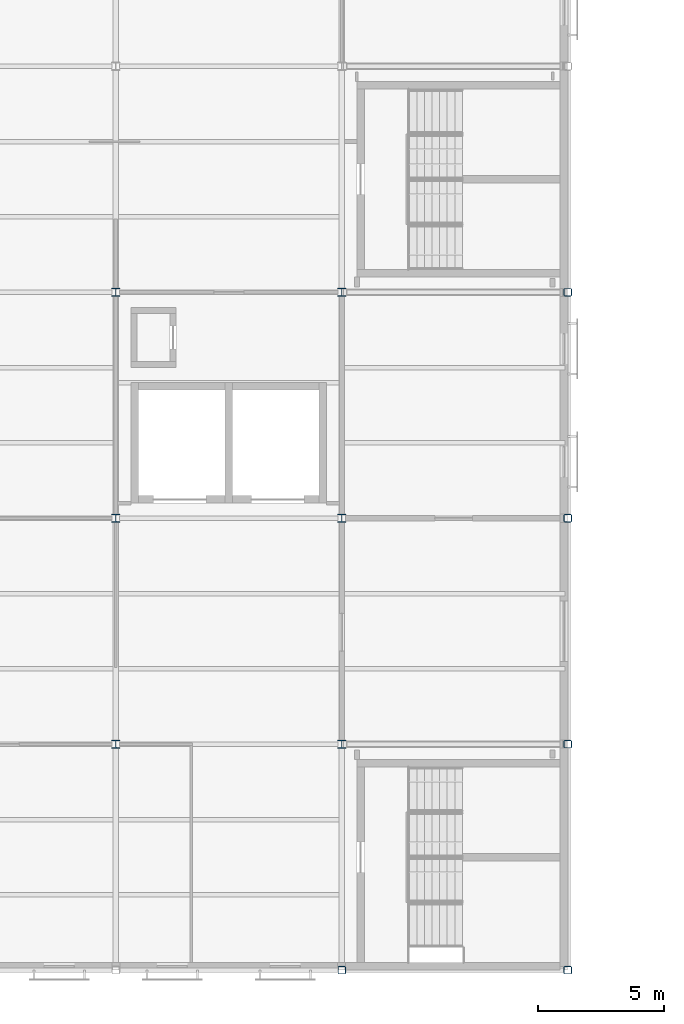
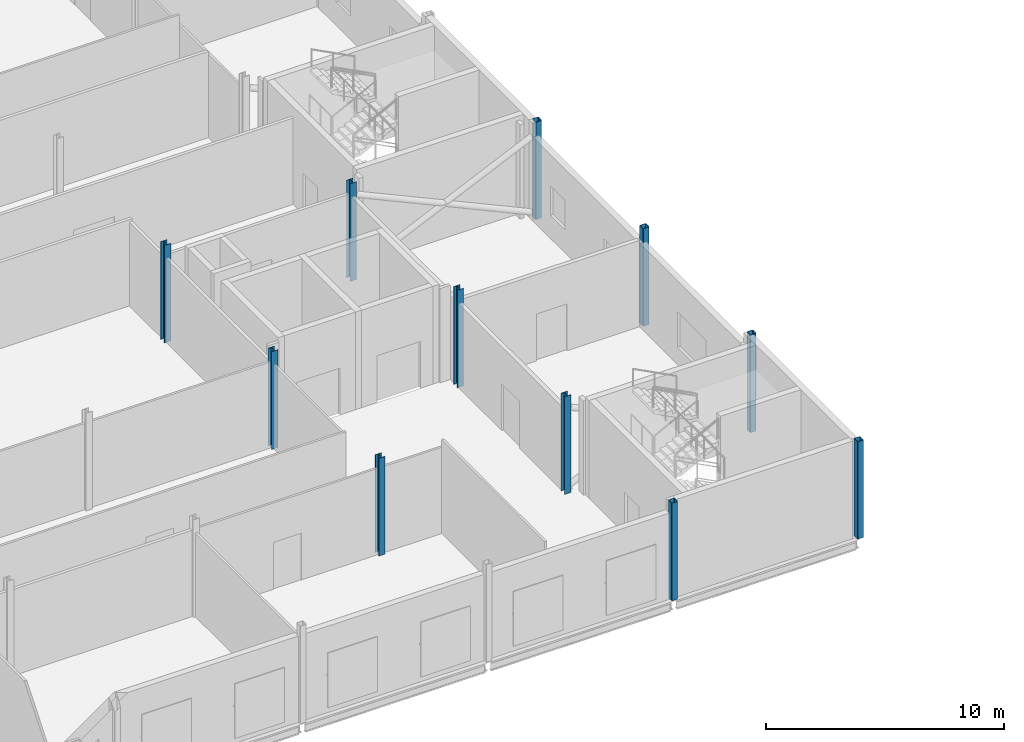
# One storey, part 5 of 112: 11 columns.
"""IFC4 building model written with IfcOpenShell, lengths in metres."""

from ifc_helpers import new_model, si_unit, direction, frame, origin, origin_2d, place, context, subcontext, project, spatial, hollow_rectangle, i_section, extrude, material, material_profile, profile_set, type_object, element, save


model = new_model("IFC4")

# Units and contexts
model_context = context("Model", 3, precision=1e-05, world=origin(), true_north=direction((0.0, 1.0)))
body_context = subcontext(model_context, "Body", "Model", "MODEL_VIEW")
ifc_project = project(units=[si_unit("LENGTHUNIT", "METRE"), si_unit("AREAUNIT", "SQUARE_METRE"), si_unit("VOLUMEUNIT", "CUBIC_METRE"), si_unit("PLANEANGLEUNIT", "RADIAN"), si_unit("MASSUNIT", "GRAM", prefix="KILO")], contexts=[model_context])

# Site, building, storey
site_placement = place(None, origin())
site = spatial("IfcSite", under=ifc_project, at=site_placement, CompositionType="ELEMENT")
building_placement = place(site_placement, origin())
building = spatial("IfcBuilding", under=site, at=building_placement, Name="Shorebreak Coast Museum", CompositionType="ELEMENT")
storey_placement = place(building_placement, frame((0.0, 0.0, 6.0)))
storey = spatial("IfcBuildingStorey", under=building, at=storey_placement, Name="L01", CompositionType="ELEMENT", Elevation=6.0)

# Columns
ifc_material_1 = material(Name="Steel Grade C450L0", Category="steel")
ifc_material_profile_1 = material_profile(ifc_material_1, hollow_rectangle(XDim=0.300048828125, YDim=0.300048828125, WallThickness=0.012451171875, InnerFilletRadius=0.018798828125, OuterFilletRadius=0.03125, at=origin_2d()), Name="300x300x12.5 SHS")
ifc_profile_set_1 = profile_set([ifc_material_profile_1], Name="Steel Grade C450L0")
column_type_1 = type_object("IfcColumnType", Name="Column 300x300x12.5 SHS", PredefinedType="COLUMN", material=ifc_profile_set_1)
for number, where, z_axis, x_axis, name in (
    (1, (108.0, 0.0, 0.0), (0.0, 0.0, 1.0), (1.0, 0.0, 0.0), "Column L01 13A"),
    (2, (117.0, 0.0, 0.0), (0.0, 0.0, 1.0), (1.0, 0.0, 0.0), "Column L01 14A"),
    (3, (117.0, 9.0, 0.0), (0.0, 0.0, 1.0), (1.0, 0.0, 0.0), "Column L01 14B"),
    (4, (117.0, 18.0, 0.0), (0.0, 0.0, 1.0), (1.0, 0.0, 0.0), "Column L01 14C"),
    (5, (117.0, 27.0, 0.0), (0.0, 0.0, 1.0), (1.0, 0.0, 0.0), "Column L01 14D"),
):
    element("IfcColumn", number, at=place(storey_placement, frame(where, z_axis=z_axis, x_axis=x_axis)), inside=storey, type_object=column_type_1, Name=name, PredefinedType="COLUMN", context=body_context, shape_type="SweptSolid", body=[
        extrude(hollow_rectangle(XDim=0.300048828125, YDim=0.300048828125, WallThickness=0.012451171875, InnerFilletRadius=0.018798828125, OuterFilletRadius=0.03125, at=origin_2d()), origin(), (0.0, 0.0, 1.0), 5.0),
    ])
ifc_material_2 = material(Name="Steel Grade 300", Category="steel")
ifc_material_profile_2 = material_profile(ifc_material_2, i_section(OverallWidth=0.30908203125, OverallDepth=0.320556640625, WebThickness=0.013916015625, FlangeThickness=0.021728515625, FilletRadius=0.0166015625, at=origin_2d()), Name="310UC137")
ifc_profile_set_2 = profile_set([ifc_material_profile_2], Name="Steel Grade 300")
column_type_2 = type_object("IfcColumnType", Name="Column 310UC137", PredefinedType="COLUMN", material=ifc_profile_set_2)
for number, where, z_axis, x_axis, name in (
    (6, (99.0, 9.0, 0.0), (0.0, 0.0, 1.0), (1.0, 0.0, 0.0), "Column L01 12B"),
    (7, (108.0, 9.0, 0.0), (0.0, 0.0, 1.0), (1.0, 0.0, 0.0), "Column L01 13B"),
    (8, (99.0, 18.0, 0.0), (0.0, 0.0, 1.0), (1.0, 0.0, 0.0), "Column L01 12C"),
    (9, (108.0, 18.0, 0.0), (0.0, 0.0, 1.0), (1.0, 0.0, 0.0), "Column L01 13C"),
    (10, (99.0, 27.0, 0.0), (0.0, 0.0, 1.0), (1.0, 0.0, 0.0), "Column L01 12D"),
    (11, (108.0, 27.0, 0.0), (0.0, 0.0, 1.0), (1.0, 0.0, 0.0), "Column L01 13D"),
):
    element("IfcColumn", number, at=place(storey_placement, frame(where, z_axis=z_axis, x_axis=x_axis)), inside=storey, type_object=column_type_2, Name=name, PredefinedType="COLUMN", context=body_context, shape_type="SweptSolid", body=[
        extrude(i_section(OverallWidth=0.30908203125, OverallDepth=0.320556640625, WebThickness=0.013916015625, FlangeThickness=0.021728515625, FilletRadius=0.0166015625, at=origin_2d()), origin(), (0.0, 0.0, 1.0), 5.0),
    ])

save(model, "model.ifc")
